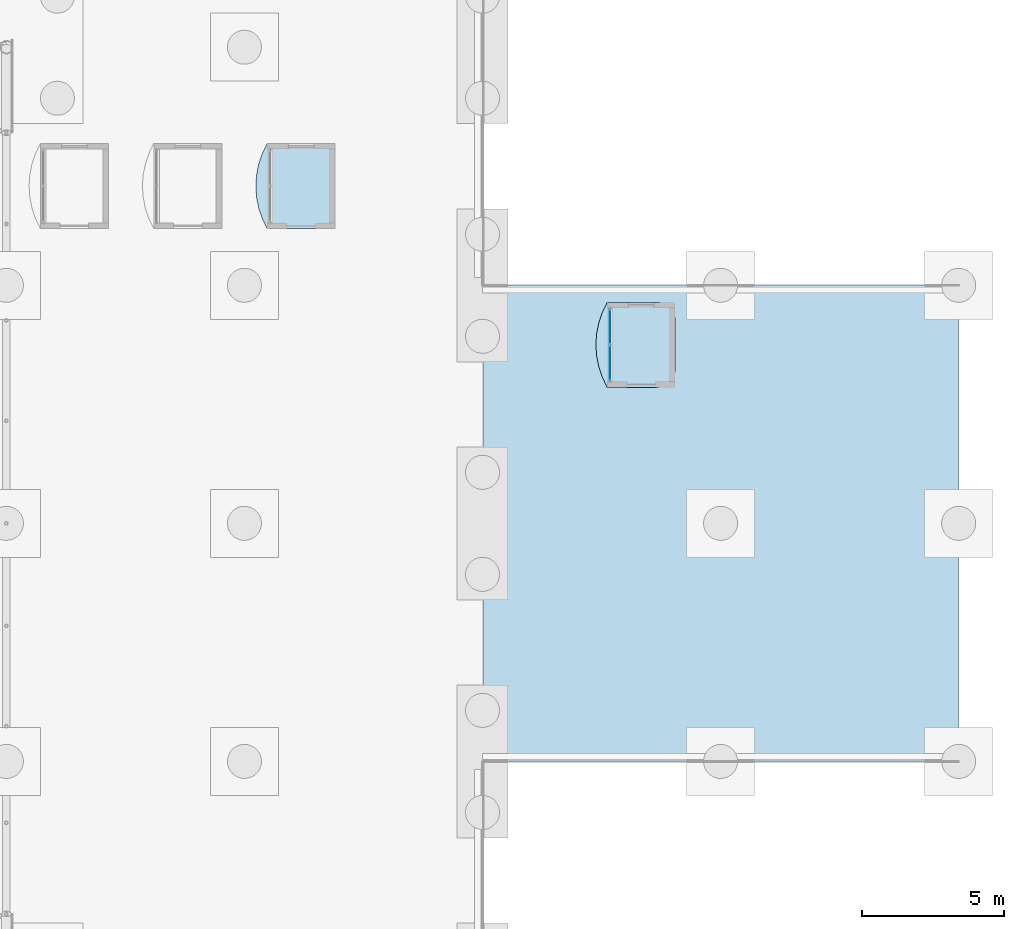
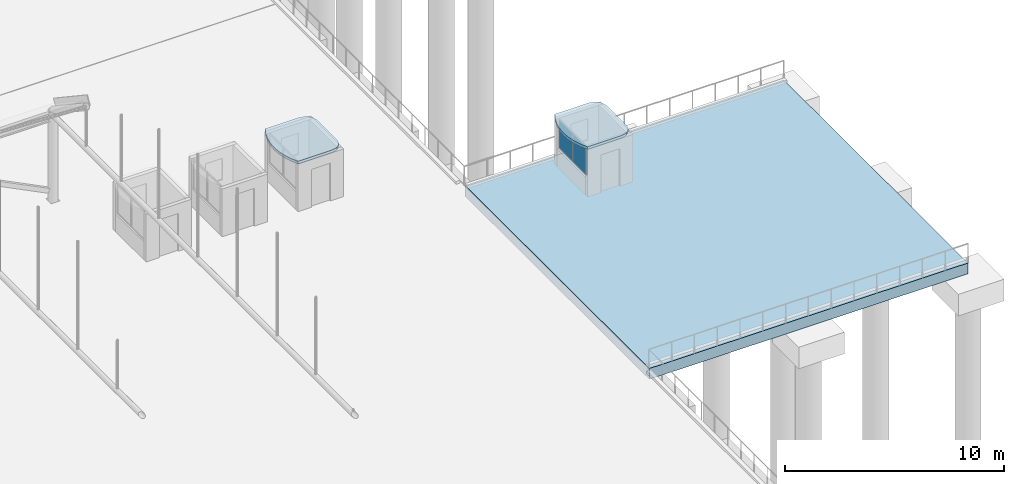
# One storey, part 171 of 212: 3 slabs, 2 plates, 1 element without a shape of its own.
"""IFC4 building model written with IfcOpenShell, lengths in metres."""

from ifc_helpers import new_model, si_unit, direction, frame, origin, origin_2d, place, context, subcontext, project, spatial, polyline, rectangle, outline, extrude, material, layer, layer_set, type_object, element, aggregate, save


model = new_model("IFC4")

# Units and contexts
model_context = context("Model", 3, precision=1e-05, world=origin(), true_north=direction((0.0, 1.0)))
body_context = subcontext(model_context, "Body", "Model", "MODEL_VIEW")
ifc_project = project(units=[si_unit("LENGTHUNIT", "METRE"), si_unit("AREAUNIT", "SQUARE_METRE"), si_unit("VOLUMEUNIT", "CUBIC_METRE"), si_unit("PLANEANGLEUNIT", "RADIAN"), si_unit("MASSUNIT", "GRAM", prefix="KILO")], contexts=[model_context])

# Site, building, storey
site_placement = place(None, origin())
site = spatial("IfcSite", under=ifc_project, at=site_placement, CompositionType="ELEMENT")
building_placement = place(site_placement, origin())
building = spatial("IfcBuilding", under=site, at=building_placement, Name="Catenary Quay Ferry Terminal", CompositionType="ELEMENT")
storey_placement = place(building_placement, origin())
storey = spatial("IfcBuildingStorey", under=building, at=storey_placement, Name="L00", CompositionType="ELEMENT", Elevation=0.0)

# Slabs
ifc_material_1 = material(Name="Concrete C35/45", Category="concrete")
ifc_layer_1 = layer(ifc_material_1, 0.14990234375)
ifc_layer_set_1 = layer_set([ifc_layer_1], Name="BR1")
slab_type_1 = type_object("IfcSlabType", Name="BR1", PredefinedType="ROOF", material=ifc_layer_set_1)
slab_1_placement = place(storey_placement, frame((0.0, 0.0, 2.64990234375)))
element("IfcSlab", 1, at=slab_1_placement, inside=storey, type_object=slab_type_1, Name="Booth roof slab BR1", PredefinedType="ROOF", context=body_context, shape_type="SweptSolid", body=[
    extrude(outline(polyline([(110.0, 44.0), (109.8271484375, 44.352294921875), (109.70166015625, 44.723876953125), (109.62548828125, 45.108642578125), (109.60009765625, 45.5), (109.62548828125, 45.891357421875), (109.70166015625, 46.276123046875), (109.8271484375, 46.647705078125), (110.0, 47.0), (111.800048828125, 47.0), (112.10009765625, 46.919677734375), (112.319580078125, 46.699951171875), (112.39990234375, 46.39990234375), (112.39990234375, 44.60009765625), (112.319580078125, 44.300048828125), (112.10009765625, 44.080322265625), (111.800048828125, 44.0), (110.0, 44.0)])), origin(), (0.0, 0.0, 1.0), 0.150146484375),
])
slab_2_placement = place(storey_placement, frame((0.0, 0.0, 2.64990234375)))
element("IfcSlab", 2, at=slab_2_placement, inside=storey, type_object=slab_type_1, Name="Booth roof slab BR1", PredefinedType="ROOF", context=body_context, shape_type="SweptSolid", body=[
    extrude(outline(polyline([(122.0, 38.39990234375), (121.8271484375, 38.752197265625), (121.70166015625, 39.123779296875), (121.62548828125, 39.508544921875), (121.60009765625, 39.89990234375), (121.62548828125, 40.29150390625), (121.70166015625, 40.67626953125), (121.8271484375, 41.0478515625), (122.0, 41.39990234375), (123.800048828125, 41.39990234375), (124.10009765625, 41.319580078125), (124.319580078125, 41.10009765625), (124.39990234375, 40.800048828125), (124.39990234375, 39.0), (124.319580078125, 38.699951171875), (124.10009765625, 38.48046875), (123.800048828125, 38.39990234375), (122.0, 38.39990234375)])), origin(), (0.0, 0.0, 1.0), 0.150146484375),
])
ifc_material_2 = material(Name="Concrete C35/45", Category="concrete")
ifc_layer_2 = layer(ifc_material_2, 0.60009765625)
ifc_layer_set_2 = layer_set([ifc_layer_2], Name="Berth head slab 600")
slab_type_2 = type_object("IfcSlabType", Name="Berth head slab 600", PredefinedType="BASESLAB", material=ifc_layer_set_2)
slab_3_placement = place(storey_placement, frame((0.0, 0.0, -0.60009765625)))
element("IfcSlab", 3, at=slab_3_placement, inside=storey, type_object=slab_type_2, Name="Ro-ro berth head deck", PredefinedType="BASESLAB", context=body_context, shape_type="SweptSolid", body=[
    extrude(outline(polyline([(134.39990234375, 25.199951171875), (134.39990234375, 42.0), (117.6298828125, 42.0), (117.6298828125, 25.199951171875), (134.39990234375, 25.199951171875)])), origin(), (0.0, 0.0, 1.0), 0.60009765625),
])

# Curtain wall, plates
ifc_material_3 = material(Name="Aluminium and glass", Category="aluminium")
curtain_wall_type = type_object("IfcCurtainWallType", Name="CWV", PredefinedType="NOTDEFINED", material=ifc_material_3)
curtain_wall_placement = place(storey_placement, origin())
curtain_wall = element("IfcCurtainWall", 4, at=curtain_wall_placement, inside=storey, type_object=curtain_wall_type, Name="Booth curtain wall CW169", PredefinedType="NOTDEFINED")
ifc_material_4 = material(Name="Glass", Category="glass")
ifc_layer_3 = layer(ifc_material_4, 0.02490234375)
ifc_layer_set_3 = layer_set([ifc_layer_3], Name="PN3")
plate_type = type_object("IfcPlateType", Name="PN3", PredefinedType="CURTAIN_PANEL", material=ifc_layer_set_3)
plate_1_placement = place(storey_placement, frame((122.10009765625, 39.262451171875, 1.0498046875), z_axis=(0.0, 0.0, 1.0), x_axis=(0.0, 1.0, 0.0)))
plate_1 = element("IfcPlate", 5, at=plate_1_placement, type_object=plate_type, Name="CW169 panel 1.1", PredefinedType="CURTAIN_PANEL", context=body_context, shape_type="SweptSolid", body=[
    extrude(rectangle(XDim=1.22509765625, YDim=0.02490234375, at=origin_2d()), origin(), (0.0, 0.0, 1.0), 1.550048828125),
])
plate_2_placement = place(storey_placement, frame((122.10009765625, 40.53759765625, 1.0498046875), z_axis=(0.0, 0.0, 1.0), x_axis=(0.0, 1.0, 0.0)))
plate_2 = element("IfcPlate", 6, at=plate_2_placement, type_object=plate_type, Name="CW169 panel 2.1", PredefinedType="CURTAIN_PANEL", context=body_context, shape_type="SweptSolid", body=[
    extrude(rectangle(XDim=1.22509765625, YDim=0.02490234375, at=origin_2d()), origin(), (0.0, 0.0, 1.0), 1.550048828125),
])
aggregate(curtain_wall, [plate_1, plate_2])

save(model, "model.ifc")
